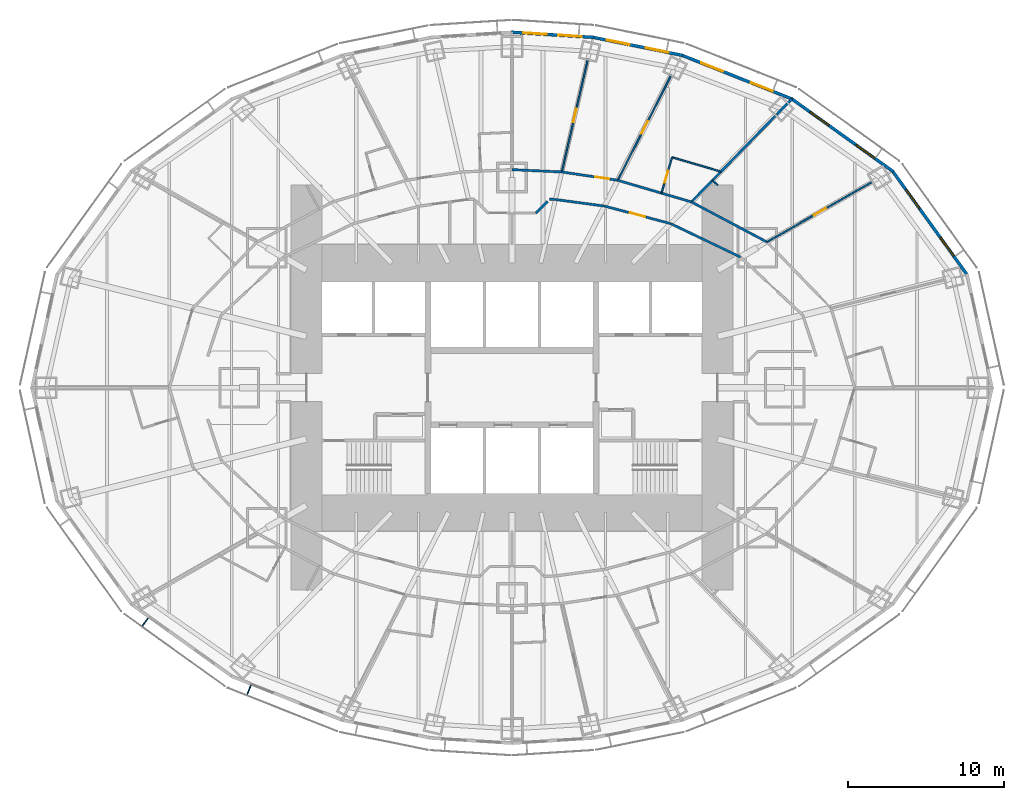
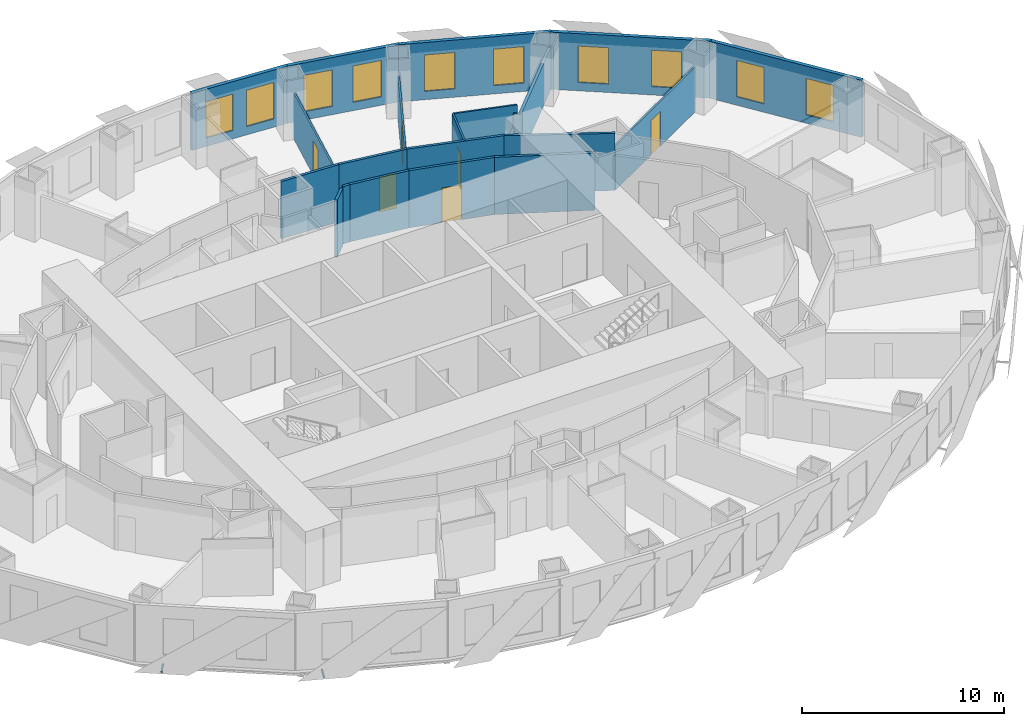
# One storey, part 10 of 15: 21 walls, 10 windows, 6 doors, 2 discrete accessories, 16 openings.
"""IFC4 building model written with IfcOpenShell, lengths in metres."""

import ifcopenshell
import ifcopenshell.guid

model = None  # the IFC model being written
_history = None  # IfcOwnerHistory: only IFC2X3 demands one
_inside = {}  # id of a spatial element -> (the spatial element, [elements in it])
_under = {}  # id of a project, library or spatial element -> (it, [spatial elements below it])
_declared = {}  # id of a project -> (the project, [libraries it declares])
_typed = {}  # id of a type object -> (the type object, [elements of that type])
_made_of = {}  # id of a material, layer set ... -> (it, [elements and type objects made of it])


def new_model(schema):
    """Start an empty IFC model of exactly this schema.

    Asked for "IFC4X3", IfcOpenShell would pick the latest addendum, in which some entities
    have other attributes; the version numbers below select the first issue.
    IFC2X3 requires an IfcOwnerHistory on every rooted entity: one is made here for all.
    """
    global model, _history
    if schema == "IFC4X3":
        model = ifcopenshell.file(schema_version=(4, 3, 0, 0))
    else:
        model = ifcopenshell.file(schema=schema)
    _inside.clear()
    _under.clear()
    _declared.clear()
    _typed.clear()
    _made_of.clear()
    _history = None
    if model.schema == "IFC2X3":
        org = make("IfcOrganization", Name="unknown")
        user = make(
            "IfcPersonAndOrganization",
            ThePerson=make("IfcPerson", FamilyName="unknown"),
            TheOrganization=org,
        )
        app = make(
            "IfcApplication",
            ApplicationDeveloper=org,
            Version="unknown",
            ApplicationFullName="unknown",
            ApplicationIdentifier="unknown",
        )
        _history = make(
            "IfcOwnerHistory",
            OwningUser=user,
            OwningApplication=app,
            ChangeAction="ADDED",
            CreationDate=0,
        )
    return model


def make(cls, **values):
    """One entity of the class cls with the attributes given. An attribute that is None is left unset."""
    return model.create_entity(
        cls, **{name: value for name, value in values.items() if value is not None}
    )


def rooted(cls, **values):
    """An entity with a GlobalId (a new one), such as an element, a storey or a relation."""
    return make(cls, GlobalId=ifcopenshell.guid.new(), OwnerHistory=_history, **values)


def si_unit(unit_type, name, prefix=None):
    """IfcSIUnit, for example si_unit("LENGTHUNIT", "METRE", prefix="MILLI")."""
    return make("IfcSIUnit", UnitType=unit_type, Prefix=prefix, Name=name)


def assignment(units):
    """IfcUnitAssignment: the units of a project."""
    return None if units is None else make("IfcUnitAssignment", Units=units)


def point(xyz):
    """IfcCartesianPoint."""
    return None if xyz is None else make("IfcCartesianPoint", Coordinates=xyz)


def direction(xyz):
    """IfcDirection."""
    return None if xyz is None else make("IfcDirection", DirectionRatios=xyz)


def frame(location, z_axis=None, x_axis=None):
    """IfcAxis2Placement3D, a coordinate frame: its origin and axes. An axis left out is left unset."""
    return make(
        "IfcAxis2Placement3D",
        Location=point(location),
        Axis=direction(z_axis),
        RefDirection=direction(x_axis),
    )


def frame_2d(location, x_axis=None):
    """IfcAxis2Placement2D, a coordinate frame in the plane: its origin and x axis."""
    return make(
        "IfcAxis2Placement2D", Location=point(location), RefDirection=direction(x_axis)
    )


def origin():
    """The frame at (0, 0, 0) with its axes left unset."""
    return frame((0.0, 0.0, 0.0))


def origin_2d():
    """The frame at (0, 0) in the plane with its x axis left unset."""
    return frame_2d((0.0, 0.0))


def place(relative_to, where):
    """IfcLocalPlacement: puts the frame where relative to a parent placement (None: the world)."""
    return make(
        "IfcLocalPlacement", PlacementRelTo=relative_to, RelativePlacement=where
    )


def context(
    kind, dimensions, precision=None, world=None, true_north=None, identifier=None
):
    """IfcGeometricRepresentationContext, for example the 3D "Model" context."""
    return make(
        "IfcGeometricRepresentationContext",
        ContextIdentifier=identifier,
        ContextType=kind,
        CoordinateSpaceDimension=dimensions,
        Precision=precision,
        WorldCoordinateSystem=world,
        TrueNorth=true_north,
    )


def subcontext(parent, identifier, kind, view, scale=None):
    """IfcGeometricRepresentationSubContext, for example "Body" below "Model"."""
    return make(
        "IfcGeometricRepresentationSubContext",
        ContextIdentifier=identifier,
        ContextType=kind,
        ParentContext=parent,
        TargetScale=scale,
        TargetView=view,
    )


def project(units=None, contexts=None):
    """IfcProject with its units and contexts."""
    return rooted(
        "IfcProject",
        Name="project",
        RepresentationContexts=contexts,
        UnitsInContext=assignment(units),
    )


def spatial(cls, under=None, at=None, **own):
    """A site, building, storey or space (cls), placed at a placement, below another one or the project."""
    s = rooted(cls, ObjectPlacement=at, **own)
    if under is not None:
        _under.setdefault(under.id(), (under, []))[1].append(s)
    return s


def profile(cls, at=None, kind="AREA", **sizes):
    """A parametric profile (cls). Its sizes go by their IFC names, for example OverallWidth=200.0."""
    return make(cls, ProfileType=kind, Position=at, **sizes)


def rectangle(**sizes):
    """IfcRectangleProfileDef."""
    return profile("IfcRectangleProfileDef", **sizes)


def extrude(swept, where, along, depth):
    """IfcExtrudedAreaSolid: the profile swept, set in the frame where, extruded along a direction by depth."""
    return make(
        "IfcExtrudedAreaSolid",
        SweptArea=swept,
        Position=where,
        ExtrudedDirection=direction(along),
        Depth=depth,
    )


def shape(context_of_items, identifier, shape_type, items):
    """IfcShapeRepresentation: the items that make up one representation, for example the "Body"."""
    return make(
        "IfcShapeRepresentation",
        ContextOfItems=context_of_items,
        RepresentationIdentifier=identifier,
        RepresentationType=shape_type,
        Items=items,
    )


def material(Name=None, Category=None):
    """IfcMaterial."""
    return make("IfcMaterial", Name=Name, Category=Category)


def layer(
    of_material, thickness, ventilated=None, Name=None, Category=None, Priority=None
):
    """IfcMaterialLayer: one layer of a wall or slab, of a material (None: an air gap)."""
    return make(
        "IfcMaterialLayer",
        Material=of_material,
        LayerThickness=thickness,
        IsVentilated=ventilated,
        Name=Name,
        Category=Category,
        Priority=Priority,
    )


def layer_set(layers, Name=None):
    """IfcMaterialLayerSet."""
    return make("IfcMaterialLayerSet", MaterialLayers=layers, LayerSetName=Name)


def made_of(thing, what):
    """Note that an element or type object is made of a material, layer set ...; save() writes the relation."""
    if what is not None:
        _made_of.setdefault(what.id(), (what, []))[1].append(thing)
    return thing


def type_object(cls, material=None, **own):
    """A type object (cls), such as IfcWallType, which elements share."""
    return made_of(rooted(cls, **own), material)


def element(
    cls,
    number,
    at=None,
    inside=None,
    cuts=None,
    type_object=None,
    material=None,
    context=None,
    identifier="Body",
    shape_type=None,
    held_by="IfcProductDefinitionShape",
    body=None,
    shapes=None,
    **own,
):
    """One element of the class cls, such as IfcWall. Its Tag is "e" and its number.

    at: its placement. inside: the storey or other place that contains it. cuts: it is an
    opening in that element (IfcRelVoidsElement). A single representation is given by context,
    identifier, shape_type and body (its items); several are given by shapes. held_by: the class
    of the entity that holds the representations. save() writes the other relations.
    """
    e = rooted(cls, Tag="e%d" % number, ObjectPlacement=at, **own)
    if body is not None:
        shapes = [shape(context, identifier, shape_type, body)]
    if shapes is not None:
        e.Representation = make(held_by, Representations=shapes)
    if inside is not None:
        _inside.setdefault(inside.id(), (inside, []))[1].append(e)
    if cuts is not None:
        rooted(
            "IfcRelVoidsElement", RelatingBuildingElement=cuts, RelatedOpeningElement=e
        )
    if type_object is not None:
        _typed.setdefault(type_object.id(), (type_object, []))[1].append(e)
    return made_of(e, material)


def fill(opening, filler):
    """IfcRelFillsElement: the door or window that sits in an opening."""
    return rooted(
        "IfcRelFillsElement",
        RelatingOpeningElement=opening,
        RelatedBuildingElement=filler,
    )


def aggregate(whole, parts):
    """IfcRelAggregates: a whole, such as a stair, and the parts it consists of."""
    return rooted("IfcRelAggregates", RelatingObject=whole, RelatedObjects=parts)


def save(model, path):
    """Write the relations noted so far, then the file.

    IfcRelAggregates (storeys below a building ...), IfcRelContainedInSpatialStructure (elements
    in a storey), IfcRelDefinesByType, IfcRelAssociatesMaterial and IfcRelDeclares: one each for
    every whole, place, type object, material and project.
    """
    for whole, parts in _under.values():
        aggregate(whole, parts)
    for where, things in _inside.values():
        rooted(
            "IfcRelContainedInSpatialStructure",
            RelatedElements=things,
            RelatingStructure=where,
        )
    for kind, things in _typed.values():
        rooted("IfcRelDefinesByType", RelatedObjects=things, RelatingType=kind)
    for what, things in _made_of.values():
        rooted("IfcRelAssociatesMaterial", RelatedObjects=things, RelatingMaterial=what)
    for by, libraries in _declared.values():
        rooted("IfcRelDeclares", RelatingContext=by, RelatedDefinitions=libraries)
    model.write(path)


model = new_model("IFC4")

# Units and contexts
model_context = context("Model", 3, precision=1e-05, world=origin(), true_north=direction((0.0, 1.0)))
body_context = subcontext(model_context, "Body", "Model", "MODEL_VIEW")
ifc_project = project(units=[si_unit("LENGTHUNIT", "METRE"), si_unit("AREAUNIT", "SQUARE_METRE"), si_unit("VOLUMEUNIT", "CUBIC_METRE"), si_unit("PLANEANGLEUNIT", "RADIAN"), si_unit("MASSUNIT", "GRAM", prefix="KILO")], contexts=[model_context])

# Site, building, storey
site_placement = place(None, origin())
site = spatial("IfcSite", under=ifc_project, at=site_placement, CompositionType="ELEMENT")
building_placement = place(site_placement, origin())
building = spatial("IfcBuilding", under=site, at=building_placement, Name="Lantaw Convention Tower", CompositionType="ELEMENT")
storey_placement = place(building_placement, frame((0.0, 0.0, 76.60009765625)))
storey = spatial("IfcBuildingStorey", under=building, at=storey_placement, Name="L17", CompositionType="ELEMENT", Elevation=76.60009765625)

# Wall, opening, door
ifc_material_1 = material(Name="Moisture resistant gypsum board on steel studs", Category="steel")
ifc_layer_1 = layer(ifc_material_1, 0.10009765625)
ifc_layer_set_1 = layer_set([ifc_layer_1], Name="Bathroom wall 100")
wall_type_1 = type_object("IfcWallType", Name="Bathroom wall 100", PredefinedType="PARTITIONING", material=ifc_layer_set_1)
wall_1_placement = place(storey_placement, frame((9.599609375, 12.4912109375, 0.0), z_axis=(0.0, 0.0, 1.0), x_axis=(0.281687126576, 0.959506311976, 0.0)))
wall_1 = element("IfcWall", 1, at=wall_1_placement, inside=storey, type_object=wall_type_1, Name="Bathroom wall 100", PredefinedType="PARTITIONING", context=body_context, shape_type="SweptSolid", body=[
    extrude(rectangle(XDim=2.39990234375, YDim=0.10009765625, at=frame_2d((1.199951171875, 0.0))), origin(), (0.0, 0.0, 1.0), 3.449951171875),
])
opening_1_placement = place(wall_1_placement, frame((0.699951171875, 0.0, 0.0)))
opening_1 = element("IfcOpeningElement", 2, at=opening_1_placement, cuts=wall_1, Name="Opening L17.31", PredefinedType="OPENING", context=body_context, shape_type="SweptSolid", body=[
    extrude(rectangle(XDim=0.800048828125, YDim=2.10009765625, at=frame_2d((0.39990234375, 1.050048828125))), frame((0.0, 0.06005859375, 0.0), z_axis=(0.0, -1.0, 0.0), x_axis=(1.0, 0.0, 0.0)), (0.0, 0.0, 1.0), 0.1201171875),
])
ifc_material_2 = material(Name="Timber", Category="wood")
door_type_1 = type_object("IfcDoorType", Name="Bathroom door 800", OperationType="SINGLE_SWING_LEFT", PredefinedType="DOOR", material=ifc_material_2)
door_1_placement = place(opening_1_placement, origin())
door_1 = element("IfcDoor", 3, at=door_1_placement, inside=storey, type_object=door_type_1, Name="Bathroom door", OperationType="SINGLE_SWING_LEFT", OverallHeight=2.10009765625, OverallWidth=0.800048828125, PredefinedType="DOOR", context=body_context, shape_type="SweptSolid", body=[
    extrude(rectangle(XDim=0.800048828125, YDim=2.10009765625, at=frame_2d((0.39990234375, 1.050048828125))), frame((0.0, 0.02490234375, 0.0), z_axis=(0.0, -1.0, 0.0), x_axis=(1.0, 0.0, 0.0)), (0.0, 0.0, 1.0), 0.050048828125),
])
fill(opening_1, door_1)

# Walls
wall_2_placement = place(storey_placement, frame((10.275634765625, 14.7939453125, 0.0), z_axis=(0.0, 0.0, 1.0), x_axis=(0.959495516486, -0.281723896473, 0.0)))
element("IfcWall", 4, at=wall_2_placement, inside=storey, type_object=wall_type_1, Name="Bathroom wall 100", PredefinedType="PARTITIONING", context=body_context, shape_type="SweptSolid", body=[
    extrude(rectangle(XDim=3.256591796875, YDim=0.10009765625, at=frame_2d((1.62841796875, 0.0))), origin(), (0.0, 0.0, 1.0), 3.449951171875),
])
ifc_material_3 = material(Name="Gypsum board on steel studs, fire rated", Category="steel")
ifc_layer_2 = layer(ifc_material_3, 0.14990234375)
ifc_layer_set_2 = layer_set([ifc_layer_2], Name="Corridor wall 150 EI 60")
wall_type_2 = type_object("IfcWallType", Name="Corridor wall 150 EI 60", PredefinedType="PARTITIONING", material=ifc_layer_set_2)
wall_3_placement = place(storey_placement, frame((16.369140625, 9.353759765625, 0.0), z_axis=(0.0, 0.0, 1.0), x_axis=(-0.883334368785, 0.468743419071, 0.0)))
element("IfcWall", 5, at=wall_3_placement, inside=storey, type_object=wall_type_2, Name="Corridor wall 150", PredefinedType="PARTITIONING", context=body_context, shape_type="SweptSolid", body=[
    extrude(rectangle(XDim=5.4912109375, YDim=0.14990234375, at=frame_2d((2.74560546875, 0.0))), origin(), (0.0, 0.0, 1.0), 3.449951171875),
])
wall_4_placement = place(storey_placement, frame((11.5185546875, 11.927734375, 0.0), z_axis=(0.0, 0.0, 1.0), x_axis=(-0.959496227294, 0.281721475589, 0.0)))
element("IfcWall", 6, at=wall_4_placement, inside=storey, type_object=wall_type_2, Name="Corridor wall 150", PredefinedType="PARTITIONING", context=body_context, shape_type="SweptSolid", body=[
    extrude(rectangle(XDim=4.9326171875, YDim=0.14990234375, at=frame_2d((2.46630859375, 0.0))), origin(), (0.0, 0.0, 1.0), 3.449951171875),
])

# Wall, opening, door
wall_5_placement = place(storey_placement, frame((6.78564453125, 13.3173828125, 0.0), z_axis=(0.0, 0.0, 1.0), x_axis=(-0.989107488999, 0.14719502439, 0.0)))
wall_5 = element("IfcWall", 7, at=wall_5_placement, inside=storey, type_object=wall_type_2, Name="Corridor wall 150", PredefinedType="PARTITIONING", context=body_context, shape_type="SweptSolid", body=[
    extrude(rectangle(XDim=3.62744140625, YDim=0.14990234375, at=frame_2d((1.813720703125, 0.0))), origin(), (0.0, 0.0, 1.0), 3.449951171875),
])
opening_2_placement = place(wall_5_placement, frame((0.554443359375, 0.0, 0.0)))
opening_2 = element("IfcOpeningElement", 8, at=opening_2_placement, cuts=wall_5, Name="Opening L17.34", PredefinedType="OPENING", context=body_context, shape_type="SweptSolid", body=[
    extrude(rectangle(XDim=0.89990234375, YDim=2.10009765625, at=frame_2d((0.449951171875, 1.050048828125))), frame((0.0, 0.0849609375, 0.0), z_axis=(0.0, -1.0, 0.0), x_axis=(1.0, 0.0, 0.0)), (0.0, 0.0, 1.0), 0.169921875),
])
ifc_material_4 = material(Name="Steel, fire rated", Category="steel")
door_type_2 = type_object("IfcDoorType", Name="Guest room entrance door FD30S", OperationType="SINGLE_SWING_LEFT", PredefinedType="DOOR", material=ifc_material_4)
door_2_placement = place(opening_2_placement, origin())
door_2 = element("IfcDoor", 9, at=door_2_placement, inside=storey, type_object=door_type_2, Name="Suite entrance door", OperationType="SINGLE_SWING_LEFT", OverallHeight=2.10009765625, OverallWidth=0.89990234375, PredefinedType="DOOR", context=body_context, shape_type="SweptSolid", body=[
    extrude(rectangle(XDim=0.89990234375, YDim=2.10009765625, at=frame_2d((0.449951171875, 1.050048828125))), frame((0.0, 0.02490234375, 0.0), z_axis=(0.0, -1.0, 0.0), x_axis=(1.0, 0.0, 0.0)), (0.0, 0.0, 1.0), 0.050048828125),
])
fill(opening_2, door_2)

# Walls
wall_6_placement = place(storey_placement, frame((3.19775390625, 13.851318359375, 0.0), z_axis=(0.0, 0.0, 1.0), x_axis=(-0.998920826789, 0.046445471333, 0.0)))
element("IfcWall", 10, at=wall_6_placement, inside=storey, type_object=wall_type_2, Name="Corridor wall 150", PredefinedType="PARTITIONING", context=body_context, shape_type="SweptSolid", body=[
    extrude(rectangle(XDim=3.201171875, YDim=0.14990234375, at=frame_2d((1.6005859375, 0.0))), origin(), (0.0, 0.0, 1.0), 3.449951171875),
])
wall_7_placement = place(storey_placement, frame((14.67333984375, 8.384765625, 0.0), z_axis=(0.0, 0.0, 1.0), x_axis=(-0.901869692799, 0.43200816799, 0.0)))
element("IfcWall", 11, at=wall_7_placement, inside=storey, type_object=wall_type_2, Name="Corridor wall 150", PredefinedType="PARTITIONING", context=body_context, shape_type="SweptSolid", body=[
    extrude(rectangle(XDim=4.985595703125, YDim=0.14990234375, at=frame_2d((2.49267578125, 0.0))), origin(), (0.0, 0.0, 1.0), 3.449951171875),
])

# Wall, opening, door
wall_8_placement = place(storey_placement, frame((10.177001953125, 10.53857421875, 0.0), z_axis=(0.0, 0.0, 1.0), x_axis=(-0.966672790407, 0.256015070428, 0.0)))
wall_8 = element("IfcWall", 12, at=wall_8_placement, inside=storey, type_object=wall_type_2, Name="Corridor wall 150", PredefinedType="PARTITIONING", context=body_context, shape_type="SweptSolid", body=[
    extrude(rectangle(XDim=4.3818359375, YDim=0.14990234375, at=frame_2d((2.19091796875, 0.0))), origin(), (0.0, 0.0, 1.0), 3.449951171875),
])
opening_3_placement = place(wall_8_placement, frame((1.69091796875, 0.0, 0.0)))
opening_3 = element("IfcOpeningElement", 13, at=opening_3_placement, cuts=wall_8, Name="Opening L17.17", PredefinedType="OPENING", context=body_context, shape_type="SweptSolid", body=[
    extrude(rectangle(XDim=1.0, YDim=2.10009765625, at=frame_2d((0.5, 1.050048828125))), frame((0.0, 0.0849609375, 0.0), z_axis=(0.0, -1.0, 0.0), x_axis=(1.0, 0.0, 0.0)), (0.0, 0.0, 1.0), 0.169921875),
])
door_type_3 = type_object("IfcDoorType", Name="Service door 1000 FD30", OperationType="SINGLE_SWING_LEFT", PredefinedType="DOOR", material=ifc_material_4)
door_3_placement = place(opening_3_placement, origin())
door_3 = element("IfcDoor", 14, at=door_3_placement, inside=storey, type_object=door_type_3, Name="Linen store door", OperationType="SINGLE_SWING_LEFT", OverallHeight=2.10009765625, OverallWidth=1.0, PredefinedType="DOOR", context=body_context, shape_type="SweptSolid", body=[
    extrude(rectangle(XDim=1.0, YDim=2.10009765625, at=frame_2d((0.5, 1.050048828125))), frame((0.0, 0.02490234375, 0.0), z_axis=(0.0, -1.0, 0.0), x_axis=(1.0, 0.0, 0.0)), (0.0, 0.0, 1.0), 0.050048828125),
])
fill(opening_3, door_3)

# Walls
wall_9_placement = place(storey_placement, frame((5.941162109375, 11.660400390625, 0.0), z_axis=(0.0, 0.0, 1.0), x_axis=(-0.991129053928, 0.13290296633, 0.0)))
element("IfcWall", 15, at=wall_9_placement, inside=storey, type_object=wall_type_2, Name="Corridor wall 150", PredefinedType="PARTITIONING", context=body_context, shape_type="SweptSolid", body=[
    extrude(rectangle(XDim=3.179931640625, YDim=0.14990234375, at=frame_2d((1.58984375, 0.0))), origin(), (0.0, 0.0, 1.0), 3.449951171875),
])
wall_10_placement = place(storey_placement, frame((2.78955078125, 12.0830078125, 0.0), z_axis=(0.0, 0.0, 1.0), x_axis=(-0.999111592136, 0.042142928935, 0.0)))
element("IfcWall", 16, at=wall_10_placement, inside=storey, type_object=wall_type_2, Name="Corridor wall 150", PredefinedType="PARTITIONING", context=body_context, shape_type="SweptSolid", body=[
    extrude(rectangle(XDim=0.37646484375, YDim=0.14990234375, at=frame_2d((0.188232421875, 0.0))), origin(), (0.0, 0.0, 1.0), 3.449951171875),
])
wall_11_placement = place(storey_placement, frame((2.284912109375, 11.9677734375, 0.0), z_axis=(0.0, 0.0, 1.0), x_axis=(-0.707106781187, -0.707106781187, 0.0)))
element("IfcWall", 17, at=wall_11_placement, inside=storey, type_object=wall_type_2, Name="Corridor wall 150", PredefinedType="PARTITIONING", context=body_context, shape_type="SweptSolid", body=[
    extrude(rectangle(XDim=1.064453125, YDim=0.14990234375, at=frame_2d((0.5322265625, 0.0))), origin(), (0.0, 0.0, 1.0), 3.449951171875),
])

# Wall, openings, windows
ifc_material_5 = material(Name="Insulated aluminium panel on steel frame", Category="steel")
ifc_layer_3 = layer(ifc_material_5, 0.199951171875)
ifc_layer_set_3 = layer_set([ifc_layer_3], Name="External wall 200")
wall_type_3 = type_object("IfcWallType", Name="External wall 200", PredefinedType="SOLIDWALL", material=ifc_layer_set_3)
wall_12_placement = place(storey_placement, frame((29.260498046875, 7.199951171875, 0.0), z_axis=(0.0, 0.0, 1.0), x_axis=(-0.583937613703, 0.811798536155, 0.0)))
wall_12 = element("IfcWall", 18, at=wall_12_placement, inside=storey, type_object=wall_type_3, Name="Facade panel wall", PredefinedType="SOLIDWALL", context=body_context, shape_type="SweptSolid", body=[
    extrude(rectangle(XDim=8.322998046875, YDim=0.199951171875, at=frame_2d((4.16162109375, 0.0))), origin(), (0.0, 0.0, 1.0), 3.449951171875),
])
opening_4_placement = place(wall_12_placement, frame((1.53076171875, 0.0, 0.5)))
opening_4 = element("IfcOpeningElement", 19, at=opening_4_placement, cuts=wall_12, Name="Opening W2", PredefinedType="OPENING", context=body_context, shape_type="SweptSolid", body=[
    extrude(rectangle(XDim=1.5, YDim=2.199951171875, at=frame_2d((0.75, 1.10009765625))), frame((0.0, 0.10986328125, 0.0), z_axis=(0.0, -1.0, 0.0), x_axis=(1.0, 0.0, 0.0)), (0.0, 0.0, 1.0), 0.219970703125),
])
opening_5_placement = place(wall_12_placement, frame((5.292236328125, 0.0, 0.5)))
opening_5 = element("IfcOpeningElement", 20, at=opening_5_placement, cuts=wall_12, Name="Opening W2", PredefinedType="OPENING", context=body_context, shape_type="SweptSolid", body=[
    extrude(rectangle(XDim=1.5, YDim=2.199951171875, at=frame_2d((0.75, 1.10009765625))), frame((0.0, 0.10986328125, 0.0), z_axis=(0.0, -1.0, 0.0), x_axis=(1.0, 0.0, 0.0)), (0.0, 0.0, 1.0), 0.219970703125),
])
ifc_material_6 = material(Name="Aluminium frame, clear insulating glass", Category="aluminium")
window_type = type_object("IfcWindowType", Name="Suite window 1500x2200", PartitioningType="SINGLE_PANEL", PredefinedType="WINDOW", material=ifc_material_6)
window_1_placement = place(opening_4_placement, origin())
window_1 = element("IfcWindow", 21, at=window_1_placement, inside=storey, type_object=window_type, Name="Guest room window", OverallHeight=2.199951171875, OverallWidth=1.5, PartitioningType="SINGLE_PANEL", PredefinedType="WINDOW", context=body_context, shape_type="SweptSolid", body=[
    extrude(rectangle(XDim=1.5, YDim=2.199951171875, at=frame_2d((0.75, 1.10009765625))), frame((0.0, 0.030029296875, 0.0), z_axis=(0.0, -1.0, 0.0), x_axis=(1.0, 0.0, 0.0)), (0.0, 0.0, 1.0), 0.06005859375),
])
fill(opening_4, window_1)
window_2_placement = place(opening_5_placement, origin())
window_2 = element("IfcWindow", 22, at=window_2_placement, inside=storey, type_object=window_type, Name="Guest room window", OverallHeight=2.199951171875, OverallWidth=1.5, PartitioningType="SINGLE_PANEL", PredefinedType="WINDOW", context=body_context, shape_type="SweptSolid", body=[
    extrude(rectangle(XDim=1.5, YDim=2.199951171875, at=frame_2d((0.75, 1.10009765625))), frame((0.0, 0.030029296875, 0.0), z_axis=(0.0, -1.0, 0.0), x_axis=(1.0, 0.0, 0.0)), (0.0, 0.0, 1.0), 0.06005859375),
])
fill(opening_5, window_2)

wall_13_placement = place(storey_placement, frame((24.482421875, 13.87451171875, 0.0), z_axis=(0.0, 0.0, 1.0), x_axis=(-0.812791321576, 0.582554948112, 0.0)))
wall_13 = element("IfcWall", 23, at=wall_13_placement, inside=storey, type_object=wall_type_3, Name="Facade panel wall", PredefinedType="SOLIDWALL", context=body_context, shape_type="SweptSolid", body=[
    extrude(rectangle(XDim=8.063232421875, YDim=0.199951171875, at=frame_2d((4.03173828125, 0.0))), origin(), (0.0, 0.0, 1.0), 3.449951171875),
])
opening_6_placement = place(wall_13_placement, frame((1.4658203125, 0.0, 0.5)))
opening_6 = element("IfcOpeningElement", 24, at=opening_6_placement, cuts=wall_13, Name="Opening W2", PredefinedType="OPENING", context=body_context, shape_type="SweptSolid", body=[
    extrude(rectangle(XDim=1.5, YDim=2.199951171875, at=frame_2d((0.75, 1.10009765625))), frame((0.0, 0.10986328125, 0.0), z_axis=(0.0, -1.0, 0.0), x_axis=(1.0, 0.0, 0.0)), (0.0, 0.0, 1.0), 0.219970703125),
])
opening_7_placement = place(wall_13_placement, frame((5.097412109375, 0.0, 0.5)))
opening_7 = element("IfcOpeningElement", 25, at=opening_7_placement, cuts=wall_13, Name="Opening W2", PredefinedType="OPENING", context=body_context, shape_type="SweptSolid", body=[
    extrude(rectangle(XDim=1.5, YDim=2.199951171875, at=frame_2d((0.75, 1.10009765625))), frame((0.0, 0.10986328125, 0.0), z_axis=(0.0, -1.0, 0.0), x_axis=(1.0, 0.0, 0.0)), (0.0, 0.0, 1.0), 0.219970703125),
])
window_3_placement = place(opening_6_placement, origin())
window_3 = element("IfcWindow", 26, at=window_3_placement, inside=storey, type_object=window_type, Name="Guest room window", OverallHeight=2.199951171875, OverallWidth=1.5, PartitioningType="SINGLE_PANEL", PredefinedType="WINDOW", context=body_context, shape_type="SweptSolid", body=[
    extrude(rectangle(XDim=1.5, YDim=2.199951171875, at=frame_2d((0.75, 1.10009765625))), frame((0.0, 0.030029296875, 0.0), z_axis=(0.0, -1.0, 0.0), x_axis=(1.0, 0.0, 0.0)), (0.0, 0.0, 1.0), 0.06005859375),
])
fill(opening_6, window_3)
window_4_placement = place(opening_7_placement, origin())
window_4 = element("IfcWindow", 27, at=window_4_placement, inside=storey, type_object=window_type, Name="Guest room window", OverallHeight=2.199951171875, OverallWidth=1.5, PartitioningType="SINGLE_PANEL", PredefinedType="WINDOW", context=body_context, shape_type="SweptSolid", body=[
    extrude(rectangle(XDim=1.5, YDim=2.199951171875, at=frame_2d((0.75, 1.10009765625))), frame((0.0, 0.030029296875, 0.0), z_axis=(0.0, -1.0, 0.0), x_axis=(1.0, 0.0, 0.0)), (0.0, 0.0, 1.0), 0.06005859375),
])
fill(opening_7, window_4)

wall_14_placement = place(storey_placement, frame((18.018310546875, 18.522705078125, 0.0), z_axis=(0.0, 0.0, 1.0), x_axis=(-0.929358351251, 0.369178892895, 0.0)))
wall_14 = element("IfcWall", 28, at=wall_14_placement, inside=storey, type_object=wall_type_3, Name="Facade panel wall", PredefinedType="SOLIDWALL", context=body_context, shape_type="SweptSolid", body=[
    extrude(rectangle(XDim=7.6923828125, YDim=0.199951171875, at=frame_2d((3.84619140625, 0.0))), origin(), (0.0, 0.0, 1.0), 3.449951171875),
])
opening_8_placement = place(wall_14_placement, frame((1.373046875, 0.0, 0.5)))
opening_8 = element("IfcOpeningElement", 29, at=opening_8_placement, cuts=wall_14, Name="Opening W2", PredefinedType="OPENING", context=body_context, shape_type="SweptSolid", body=[
    extrude(rectangle(XDim=1.5, YDim=2.199951171875, at=frame_2d((0.75, 1.10009765625))), frame((0.0, 0.10986328125, 0.0), z_axis=(0.0, -1.0, 0.0), x_axis=(1.0, 0.0, 0.0)), (0.0, 0.0, 1.0), 0.219970703125),
])
opening_9_placement = place(wall_14_placement, frame((4.819091796875, 0.0, 0.5)))
opening_9 = element("IfcOpeningElement", 30, at=opening_9_placement, cuts=wall_14, Name="Opening W2", PredefinedType="OPENING", context=body_context, shape_type="SweptSolid", body=[
    extrude(rectangle(XDim=1.5, YDim=2.199951171875, at=frame_2d((0.75, 1.10009765625))), frame((0.0, 0.10986328125, 0.0), z_axis=(0.0, -1.0, 0.0), x_axis=(1.0, 0.0, 0.0)), (0.0, 0.0, 1.0), 0.219970703125),
])
window_5_placement = place(opening_8_placement, origin())
window_5 = element("IfcWindow", 31, at=window_5_placement, inside=storey, type_object=window_type, Name="Guest room window", OverallHeight=2.199951171875, OverallWidth=1.5, PartitioningType="SINGLE_PANEL", PredefinedType="WINDOW", context=body_context, shape_type="SweptSolid", body=[
    extrude(rectangle(XDim=1.5, YDim=2.199951171875, at=frame_2d((0.75, 1.10009765625))), frame((0.0, 0.030029296875, 0.0), z_axis=(0.0, -1.0, 0.0), x_axis=(1.0, 0.0, 0.0)), (0.0, 0.0, 1.0), 0.06005859375),
])
fill(opening_8, window_5)
window_6_placement = place(opening_9_placement, origin())
window_6 = element("IfcWindow", 32, at=window_6_placement, inside=storey, type_object=window_type, Name="Guest room window", OverallHeight=2.199951171875, OverallWidth=1.5, PartitioningType="SINGLE_PANEL", PredefinedType="WINDOW", context=body_context, shape_type="SweptSolid", body=[
    extrude(rectangle(XDim=1.5, YDim=2.199951171875, at=frame_2d((0.75, 1.10009765625))), frame((0.0, 0.030029296875, 0.0), z_axis=(0.0, -1.0, 0.0), x_axis=(1.0, 0.0, 0.0)), (0.0, 0.0, 1.0), 0.06005859375),
])
fill(opening_9, window_6)

wall_15_placement = place(storey_placement, frame((10.956787109375, 21.336669921875, 0.0), z_axis=(0.0, 0.0, 1.0), x_axis=(-0.980251657452, 0.197754110105, 0.0)))
wall_15 = element("IfcWall", 33, at=wall_15_placement, inside=storey, type_object=wall_type_3, Name="Facade panel wall", PredefinedType="SOLIDWALL", context=body_context, shape_type="SweptSolid", body=[
    extrude(rectangle(XDim=5.90380859375, YDim=0.199951171875, at=frame_2d((2.951904296875, 0.0))), origin(), (0.0, 0.0, 1.0), 3.449951171875),
])
opening_10_placement = place(wall_15_placement, frame((0.92578125, 0.0, 0.5)))
opening_10 = element("IfcOpeningElement", 34, at=opening_10_placement, cuts=wall_15, Name="Opening W2", PredefinedType="OPENING", context=body_context, shape_type="SweptSolid", body=[
    extrude(rectangle(XDim=1.5, YDim=2.199951171875, at=frame_2d((0.75, 1.10009765625))), frame((0.0, 0.10986328125, 0.0), z_axis=(0.0, -1.0, 0.0), x_axis=(1.0, 0.0, 0.0)), (0.0, 0.0, 1.0), 0.219970703125),
])
opening_11_placement = place(wall_15_placement, frame((3.477783203125, 0.0, 0.5)))
opening_11 = element("IfcOpeningElement", 35, at=opening_11_placement, cuts=wall_15, Name="Opening W2", PredefinedType="OPENING", context=body_context, shape_type="SweptSolid", body=[
    extrude(rectangle(XDim=1.5, YDim=2.199951171875, at=frame_2d((0.75, 1.10009765625))), frame((0.0, 0.10986328125, 0.0), z_axis=(0.0, -1.0, 0.0), x_axis=(1.0, 0.0, 0.0)), (0.0, 0.0, 1.0), 0.219970703125),
])
window_7_placement = place(opening_10_placement, origin())
window_7 = element("IfcWindow", 36, at=window_7_placement, inside=storey, type_object=window_type, Name="Guest room window", OverallHeight=2.199951171875, OverallWidth=1.5, PartitioningType="SINGLE_PANEL", PredefinedType="WINDOW", context=body_context, shape_type="SweptSolid", body=[
    extrude(rectangle(XDim=1.5, YDim=2.199951171875, at=frame_2d((0.75, 1.10009765625))), frame((0.0, 0.030029296875, 0.0), z_axis=(0.0, -1.0, 0.0), x_axis=(1.0, 0.0, 0.0)), (0.0, 0.0, 1.0), 0.06005859375),
])
fill(opening_10, window_7)
window_8_placement = place(opening_11_placement, origin())
window_8 = element("IfcWindow", 37, at=window_8_placement, inside=storey, type_object=window_type, Name="Guest room window", OverallHeight=2.199951171875, OverallWidth=1.5, PartitioningType="SINGLE_PANEL", PredefinedType="WINDOW", context=body_context, shape_type="SweptSolid", body=[
    extrude(rectangle(XDim=1.5, YDim=2.199951171875, at=frame_2d((0.75, 1.10009765625))), frame((0.0, 0.030029296875, 0.0), z_axis=(0.0, -1.0, 0.0), x_axis=(1.0, 0.0, 0.0)), (0.0, 0.0, 1.0), 0.06005859375),
])
fill(opening_11, window_8)

wall_16_placement = place(storey_placement, frame((5.252685546875, 22.493408203125, 0.0), z_axis=(0.0, 0.0, 1.0), x_axis=(-0.998018582375, 0.062919863585, 0.0)))
wall_16 = element("IfcWall", 38, at=wall_16_placement, inside=storey, type_object=wall_type_3, Name="Facade panel wall", PredefinedType="SOLIDWALL", context=body_context, shape_type="SweptSolid", body=[
    extrude(rectangle(XDim=5.30419921875, YDim=0.199951171875, at=frame_2d((2.652099609375, 0.0))), origin(), (0.0, 0.0, 1.0), 3.449951171875),
])
opening_12_placement = place(wall_16_placement, frame((0.77587890625, 0.0, 0.5)))
opening_12 = element("IfcOpeningElement", 39, at=opening_12_placement, cuts=wall_16, Name="Opening W2", PredefinedType="OPENING", context=body_context, shape_type="SweptSolid", body=[
    extrude(rectangle(XDim=1.5, YDim=2.199951171875, at=frame_2d((0.75, 1.10009765625))), frame((0.0, 0.10986328125, 0.0), z_axis=(0.0, -1.0, 0.0), x_axis=(1.0, 0.0, 0.0)), (0.0, 0.0, 1.0), 0.219970703125),
])
opening_13_placement = place(wall_16_placement, frame((3.028076171875, 0.0, 0.5)))
opening_13 = element("IfcOpeningElement", 40, at=opening_13_placement, cuts=wall_16, Name="Opening W2", PredefinedType="OPENING", context=body_context, shape_type="SweptSolid", body=[
    extrude(rectangle(XDim=1.5, YDim=2.199951171875, at=frame_2d((0.75, 1.10009765625))), frame((0.0, 0.10986328125, 0.0), z_axis=(0.0, -1.0, 0.0), x_axis=(1.0, 0.0, 0.0)), (0.0, 0.0, 1.0), 0.219970703125),
])
window_9_placement = place(opening_12_placement, origin())
window_9 = element("IfcWindow", 41, at=window_9_placement, inside=storey, type_object=window_type, Name="Guest room window", OverallHeight=2.199951171875, OverallWidth=1.5, PartitioningType="SINGLE_PANEL", PredefinedType="WINDOW", context=body_context, shape_type="SweptSolid", body=[
    extrude(rectangle(XDim=1.5, YDim=2.199951171875, at=frame_2d((0.75, 1.10009765625))), frame((0.0, 0.030029296875, 0.0), z_axis=(0.0, -1.0, 0.0), x_axis=(1.0, 0.0, 0.0)), (0.0, 0.0, 1.0), 0.06005859375),
])
fill(opening_12, window_9)
window_10_placement = place(opening_13_placement, origin())
window_10 = element("IfcWindow", 42, at=window_10_placement, inside=storey, type_object=window_type, Name="Guest room window", OverallHeight=2.199951171875, OverallWidth=1.5, PartitioningType="SINGLE_PANEL", PredefinedType="WINDOW", context=body_context, shape_type="SweptSolid", body=[
    extrude(rectangle(XDim=1.5, YDim=2.199951171875, at=frame_2d((0.75, 1.10009765625))), frame((0.0, 0.030029296875, 0.0), z_axis=(0.0, -1.0, 0.0), x_axis=(1.0, 0.0, 0.0)), (0.0, 0.0, 1.0), 0.06005859375),
])
fill(opening_13, window_10)

# Walls
ifc_material_7 = material(Name="Gypsum board on steel studs, acoustic", Category="steel")
ifc_layer_4 = layer(ifc_material_7, 0.14990234375)
ifc_layer_set_4 = layer_set([ifc_layer_4], Name="Guest room party wall 150")
wall_type_4 = type_object("IfcWallType", Name="Guest room party wall 150", PredefinedType="PARTITIONING", material=ifc_layer_set_4)
wall_17_placement = place(storey_placement, frame((17.970458984375, 18.541748046875, 0.0), z_axis=(0.0, 0.0, 1.0), x_axis=(-0.698279935955, -0.715824790743, 0.0)))
element("IfcWall", 43, at=wall_17_placement, inside=storey, type_object=wall_type_4, Name="Guest room party wall 150", PredefinedType="PARTITIONING", context=body_context, shape_type="SweptSolid", body=[
    extrude(rectangle(XDim=9.23974609375, YDim=0.14990234375, at=frame_2d((4.619873046875, 0.0))), origin(), (0.0, 0.0, 1.0), 2.52783203125),
])
ifc_layer_5 = layer(ifc_material_7, 0.10009765625)
ifc_layer_set_5 = layer_set([ifc_layer_5], Name="Office partition 100")
wall_type_5 = type_object("IfcWallType", Name="Office partition 100", PredefinedType="PARTITIONING", material=ifc_layer_set_5)
wall_18_placement = place(storey_placement, frame((13.199951171875, 13.0, 0.0), z_axis=(0.0, 0.0, 1.0), x_axis=(-0.715906247499, 0.698196422786, 0.0)))
element("IfcWall", 44, at=wall_18_placement, inside=storey, type_object=wall_type_5, Name="Office partition 100", PredefinedType="PARTITIONING", context=body_context, shape_type="SweptSolid", body=[
    extrude(rectangle(XDim=0.454833984375, YDim=0.10009765625, at=frame_2d((0.2275390625, 0.0))), origin(), (0.0, 0.0, 1.0), 3.449951171875),
])

# Wall, opening, door
ifc_material_8 = material(Name="Gypsum board on steel studs", Category="steel")
ifc_layer_6 = layer(ifc_material_8, 0.10009765625)
ifc_layer_set_6 = layer_set([ifc_layer_6], Name="Suite partition 100")
wall_type_6 = type_object("IfcWallType", Name="Suite partition 100", PredefinedType="PARTITIONING", material=ifc_layer_set_6)
wall_19_placement = place(storey_placement, frame((23.1708984375, 13.240478515625, 0.0), z_axis=(0.0, 0.0, 1.0), x_axis=(-0.868243142124, -0.496138938357, 0.0)))
wall_19 = element("IfcWall", 45, at=wall_19_placement, inside=storey, type_object=wall_type_6, Name="Suite partition 100", PredefinedType="PARTITIONING", context=body_context, shape_type="SweptSolid", body=[
    extrude(rectangle(XDim=7.833984375, YDim=0.10009765625, at=frame_2d((3.9169921875, 0.0))), origin(), (0.0, 0.0, 1.0), 2.69287109375),
])
opening_14_placement = place(wall_19_placement, frame((3.467041015625, 0.0, 0.0)))
opening_14 = element("IfcOpeningElement", 46, at=opening_14_placement, cuts=wall_19, Name="Opening L17.29", PredefinedType="OPENING", context=body_context, shape_type="SweptSolid", body=[
    extrude(rectangle(XDim=0.89990234375, YDim=2.10009765625, at=frame_2d((0.449951171875, 1.050048828125))), frame((0.0, 0.06005859375, 0.0), z_axis=(0.0, -1.0, 0.0), x_axis=(1.0, 0.0, 0.0)), (0.0, 0.0, 1.0), 0.1201171875),
])
door_type_4 = type_object("IfcDoorType", Name="Suite door 900", OperationType="SINGLE_SWING_LEFT", PredefinedType="DOOR", material=ifc_material_2)
door_4_placement = place(opening_14_placement, origin())
door_4 = element("IfcDoor", 47, at=door_4_placement, inside=storey, type_object=door_type_4, Name="Kitchenette door", OperationType="SINGLE_SWING_LEFT", OverallHeight=2.10009765625, OverallWidth=0.89990234375, PredefinedType="DOOR", context=body_context, shape_type="SweptSolid", body=[
    extrude(rectangle(XDim=0.89990234375, YDim=2.10009765625, at=frame_2d((0.449951171875, 1.050048828125))), frame((0.0, 0.02490234375, 0.0), z_axis=(0.0, -1.0, 0.0), x_axis=(1.0, 0.0, 0.0)), (0.0, 0.0, 1.0), 0.050048828125),
])
fill(opening_14, door_4)

wall_20_placement = place(storey_placement, frame((10.235595703125, 20.08837890625, 0.0), z_axis=(0.0, 0.0, 1.0), x_axis=(-0.453985938962, -0.891008848006, 0.0)))
wall_20 = element("IfcWall", 48, at=wall_20_placement, inside=storey, type_object=wall_type_6, Name="Suite partition 100", PredefinedType="PARTITIONING", context=body_context, shape_type="SweptSolid", body=[
    extrude(rectangle(XDim=7.599365234375, YDim=0.10009765625, at=frame_2d((3.7998046875, 0.0))), origin(), (0.0, 0.0, 1.0), 2.52783203125),
])
opening_15_placement = place(wall_20_placement, frame((3.349609375, 0.0, 0.0)))
opening_15 = element("IfcOpeningElement", 49, at=opening_15_placement, cuts=wall_20, Name="Opening L17.32", PredefinedType="OPENING", context=body_context, shape_type="SweptSolid", body=[
    extrude(rectangle(XDim=0.89990234375, YDim=2.10009765625, at=frame_2d((0.449951171875, 1.050048828125))), frame((0.0, 0.06005859375, 0.0), z_axis=(0.0, -1.0, 0.0), x_axis=(1.0, 0.0, 0.0)), (0.0, 0.0, 1.0), 0.1201171875),
])
door_5_placement = place(opening_15_placement, origin())
door_5 = element("IfcDoor", 50, at=door_5_placement, inside=storey, type_object=door_type_4, Name="Bedroom door", OperationType="SINGLE_SWING_LEFT", OverallHeight=2.10009765625, OverallWidth=0.89990234375, PredefinedType="DOOR", context=body_context, shape_type="SweptSolid", body=[
    extrude(rectangle(XDim=0.89990234375, YDim=2.10009765625, at=frame_2d((0.449951171875, 1.050048828125))), frame((0.0, 0.02490234375, 0.0), z_axis=(0.0, -1.0, 0.0), x_axis=(1.0, 0.0, 0.0)), (0.0, 0.0, 1.0), 0.050048828125),
])
fill(opening_15, door_5)

wall_21_placement = place(storey_placement, frame((4.873779296875, 21.11083984375, 0.0), z_axis=(0.0, 0.0, 1.0), x_axis=(-0.224955233595, -0.97436909992, 0.0)))
wall_21 = element("IfcWall", 51, at=wall_21_placement, inside=storey, type_object=wall_type_6, Name="Suite partition 100", PredefinedType="PARTITIONING", context=body_context, shape_type="SweptSolid", body=[
    extrude(rectangle(XDim=7.450439453125, YDim=0.10009765625, at=frame_2d((3.72509765625, 0.0))), origin(), (0.0, 0.0, 1.0), 2.7666015625),
])
opening_16_placement = place(wall_21_placement, frame((3.275146484375, 0.0, 0.0)))
opening_16 = element("IfcOpeningElement", 52, at=opening_16_placement, cuts=wall_21, Name="Opening L17.33", PredefinedType="OPENING", context=body_context, shape_type="SweptSolid", body=[
    extrude(rectangle(XDim=0.89990234375, YDim=2.10009765625, at=frame_2d((0.449951171875, 1.050048828125))), frame((0.0, 0.06005859375, 0.0), z_axis=(0.0, -1.0, 0.0), x_axis=(1.0, 0.0, 0.0)), (0.0, 0.0, 1.0), 0.1201171875),
])
door_6_placement = place(opening_16_placement, origin())
door_6 = element("IfcDoor", 53, at=door_6_placement, inside=storey, type_object=door_type_4, Name="Kitchenette door", OperationType="SINGLE_SWING_LEFT", OverallHeight=2.10009765625, OverallWidth=0.89990234375, PredefinedType="DOOR", context=body_context, shape_type="SweptSolid", body=[
    extrude(rectangle(XDim=0.89990234375, YDim=2.10009765625, at=frame_2d((0.449951171875, 1.050048828125))), frame((0.0, 0.02490234375, 0.0), z_axis=(0.0, -1.0, 0.0), x_axis=(1.0, 0.0, 0.0)), (0.0, 0.0, 1.0), 0.050048828125),
])
fill(opening_16, door_6)

# Discrete accessories
for number, where, z_axis, x_axis, name in (
    (54, (-23.564453125, -15.06640625, -0.115234375), (0.0, 0.0, 1.0), (0.812803733199, -0.5825376308, 0.0), "Screen bracket"),
    (55, (-16.898193359375, -19.4345703125, -0.115234375), (0.0, 0.0, 1.0), (0.929361152748, -0.369171840425, 0.0), "Screen bracket"),
):
    element("IfcDiscreteAccessory", number, at=place(storey_placement, frame(where, z_axis=z_axis, x_axis=x_axis)), inside=storey, Name=name, PredefinedType="BRACKET", context=body_context, shape_type="SweptSolid", body=[
        extrude(rectangle(XDim=0.080078125, YDim=0.68798828125, at=origin_2d()), origin(), (0.0, 0.0, 1.0), 0.080078125),
    ])

save(model, "model.ifc")
